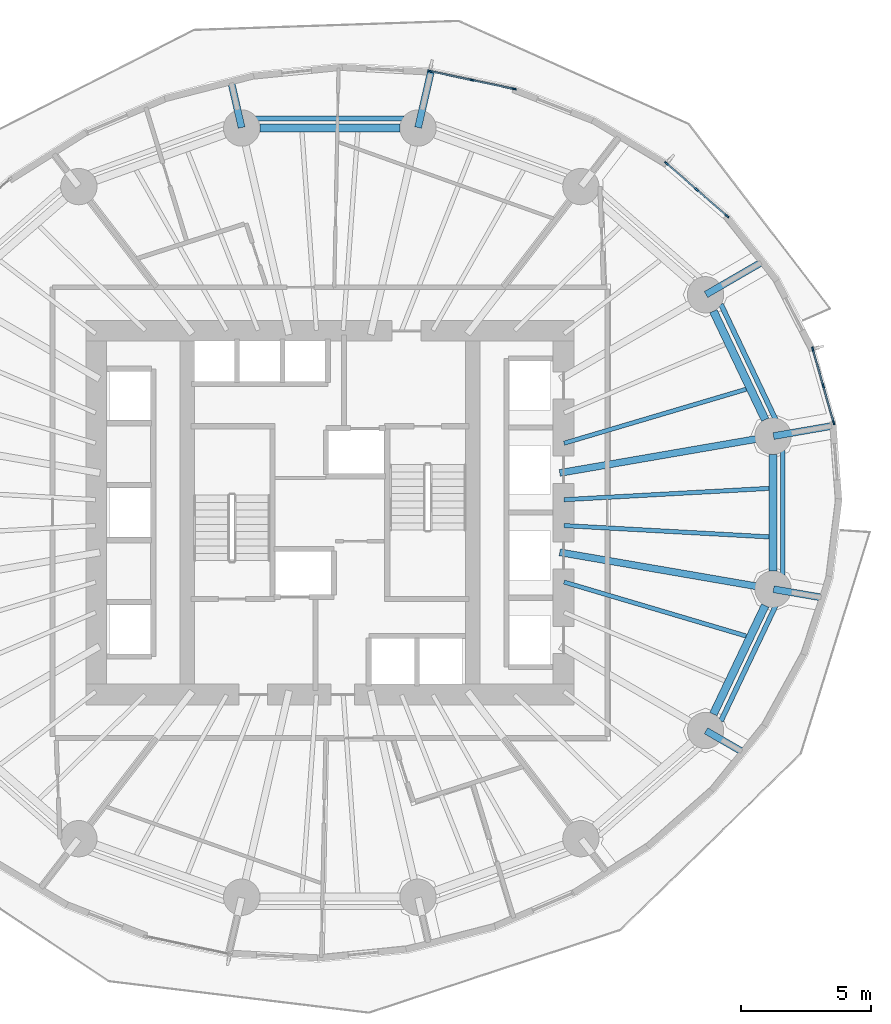
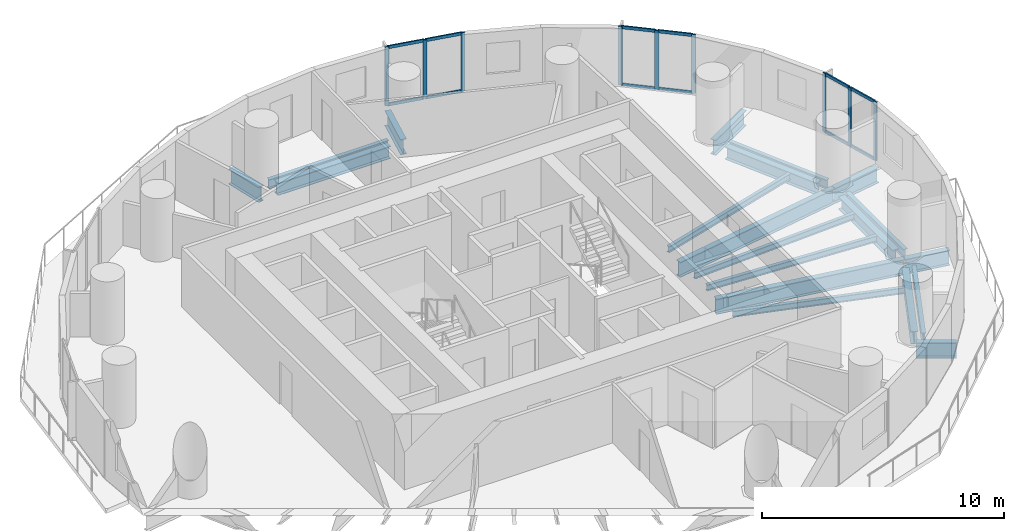
# One storey, part 5 of 13: 21 members, 20 beams, 3 elements without a shape of their own.
"""IFC4 building model written with IfcOpenShell, lengths in metres."""

from ifc_helpers import new_model, si_unit, direction, frame, origin, origin_2d, place, context, subcontext, project, spatial, rectangle, i_section, extrude, material, material_profile, profile_set, type_object, element, aggregate, save


model = new_model("IFC4")

# Units and contexts
model_context = context("Model", 3, precision=1e-05, world=origin(), true_north=direction((0.0, 1.0)))
body_context = subcontext(model_context, "Body", "Model", "MODEL_VIEW")
ifc_project = project(units=[si_unit("LENGTHUNIT", "METRE"), si_unit("AREAUNIT", "SQUARE_METRE"), si_unit("VOLUMEUNIT", "CUBIC_METRE"), si_unit("PLANEANGLEUNIT", "RADIAN"), si_unit("MASSUNIT", "GRAM", prefix="KILO")], contexts=[model_context])

# Site, building, storey
site_placement = place(None, origin())
site = spatial("IfcSite", under=ifc_project, at=site_placement, CompositionType="ELEMENT")
building_placement = place(site_placement, origin())
building = spatial("IfcBuilding", under=site, at=building_placement, Name="Veldorim Arch Residences", CompositionType="ELEMENT")
storey_placement = place(building_placement, frame((0.0, 0.0, 47.199951171875)))
storey = spatial("IfcBuildingStorey", under=building, at=storey_placement, Name="L13", CompositionType="ELEMENT", Elevation=47.199951171875)

# Beams
ifc_material_1 = material(Name="Steel S355", Category="steel")
ifc_material_profile_1 = material_profile(ifc_material_1, i_section(OverallWidth=0.30712890625, OverallDepth=0.6201171875, WebThickness=0.01416015625, FlangeThickness=0.023681640625, at=origin_2d()), Name="UB610x305x179")
ifc_profile_set_1 = profile_set([ifc_material_profile_1], Name="Steel S355")
beam_type_1 = type_object("IfcBeamType", Name="Structural Steel Beam UB610x305x179", PredefinedType="BEAM", material=ifc_profile_set_1)
beam_1_placement = place(storey_placement, frame((48.76416015625, 27.57763671875, -0.550048828125), z_axis=(-0.430776422552, 0.902458682585, 0.0), x_axis=(-0.902458682585, -0.430776422552, 0.0)))
element("IfcBeam", 1, at=beam_1_placement, inside=storey, type_object=beam_type_1, Name="L13 perimeter ring tie beam 01", PredefinedType="BEAM", context=body_context, shape_type="SweptSolid", body=[
    extrude(i_section(OverallWidth=0.30712890625, OverallDepth=0.6201171875, WebThickness=0.01416015625, FlangeThickness=0.023681640625, at=origin_2d()), origin(), (0.0, 0.0, 1.0), 4.63134765625),
])
beam_2_placement = place(storey_placement, frame((34.694580078125, 38.809814453125, -0.550048828125), z_axis=(-1.0, 0.0, 0.0), x_axis=(0.0, -1.0, 0.0)))
element("IfcBeam", 2, at=beam_2_placement, inside=storey, type_object=beam_type_1, Name="L13 perimeter ring tie beam 04", PredefinedType="BEAM", context=body_context, shape_type="SweptSolid", body=[
    extrude(i_section(OverallWidth=0.30712890625, OverallDepth=0.6201171875, WebThickness=0.01416015625, FlangeThickness=0.023681640625, at=origin_2d()), origin(), (0.0, 0.0, 1.0), 5.38916015625),
])
beam_3_placement = place(storey_placement, frame((46.76904296875, 16.24267578125, -0.550048828125), z_axis=(0.430776422552, 0.902458682585, 0.0), x_axis=(-0.902458682585, 0.430776422552, 0.0)))
element("IfcBeam", 3, at=beam_3_placement, inside=storey, type_object=beam_type_1, Name="L13 perimeter ring tie beam 15", PredefinedType="BEAM", context=body_context, shape_type="SweptSolid", body=[
    extrude(i_section(OverallWidth=0.30712890625, OverallDepth=0.6201171875, WebThickness=0.01416015625, FlangeThickness=0.023681640625, at=origin_2d()), origin(), (0.0, 0.0, 1.0), 4.63134765625),
])
beam_4_placement = place(storey_placement, frame((49.065673828125, 21.754150390625, -0.550048828125), z_axis=(0.0, 1.0, 0.0), x_axis=(-1.0, 0.0, 0.0)))
element("IfcBeam", 4, at=beam_4_placement, inside=storey, type_object=beam_type_1, Name="L13 perimeter ring tie beam 16", PredefinedType="BEAM", context=body_context, shape_type="SweptSolid", body=[
    extrude(i_section(OverallWidth=0.30712890625, OverallDepth=0.6201171875, WebThickness=0.01416015625, FlangeThickness=0.023681640625, at=origin_2d()), origin(), (0.0, 0.0, 1.0), 4.49169921875),
])
ifc_material_2 = material(Name="Steel S355", Category="steel")
ifc_material_profile_2 = material_profile(ifc_material_2, i_section(OverallWidth=0.26806640625, OverallDepth=0.769775390625, WebThickness=0.015625, FlangeThickness=0.025390625, at=origin_2d()), Name="UB762x267x197")
ifc_profile_set_2 = profile_set([ifc_material_profile_2], Name="Steel S355")
beam_type_2 = type_object("IfcBeamType", Name="Structural Steel GIRDER UB762x267x197", PredefinedType="USERDEFINED", material=ifc_profile_set_2)
beam_5_placement = place(storey_placement, frame((40.852294921875, 25.528076171875, -0.624755859375), z_axis=(0.985427548249, 0.170095699979, 0.0), x_axis=(-0.170095699979, 0.985427548249, 0.0)))
element("IfcBeam", 5, at=beam_5_placement, inside=storey, type_object=beam_type_2, Name="L13 radial floor girder 01", ObjectType="GIRDER", PredefinedType="USERDEFINED", context=body_context, shape_type="SweptSolid", body=[
    extrude(i_section(OverallWidth=0.26806640625, OverallDepth=0.769775390625, WebThickness=0.015625, FlangeThickness=0.025390625, at=origin_2d()), origin(), (0.0, 0.0, 1.0), 8.314697265625),
])
beam_6_placement = place(storey_placement, frame((49.08544921875, 26.94921875, -0.624755859375), z_axis=(0.98542353719, 0.170118935902, 0.0), x_axis=(-0.170118935902, 0.98542353719, 0.0)))
element("IfcBeam", 6, at=beam_6_placement, inside=storey, type_object=beam_type_2, Name="L13 radial edge cantilever girder 01", ObjectType="GIRDER", PredefinedType="USERDEFINED", context=body_context, shape_type="SweptSolid", body=[
    extrude(i_section(OverallWidth=0.26806640625, OverallDepth=0.769775390625, WebThickness=0.015625, FlangeThickness=0.025390625, at=origin_2d()), origin(), (0.0, 0.0, 1.0), 2.35205078125),
])
beam_7_placement = place(storey_placement, frame((46.48486328125, 32.399169921875, -0.624755859375), z_axis=(0.86507809522, 0.501637208718, 0.0), x_axis=(-0.501637208718, 0.86507809522, 0.0)))
element("IfcBeam", 7, at=beam_7_placement, inside=storey, type_object=beam_type_2, Name="L13 radial edge cantilever girder 02", ObjectType="GIRDER", PredefinedType="USERDEFINED", context=body_context, shape_type="SweptSolid", body=[
    extrude(i_section(OverallWidth=0.26806640625, OverallDepth=0.769775390625, WebThickness=0.015625, FlangeThickness=0.025390625, at=origin_2d()), origin(), (0.0, 0.0, 1.0), 2.52978515625),
])
beam_8_placement = place(storey_placement, frame((35.399169921875, 38.829345703125, -0.624755859375), z_axis=(0.223367414268, 0.974734321876, 0.0), x_axis=(-0.974734321876, 0.223367414268, 0.0)))
element("IfcBeam", 8, at=beam_8_placement, inside=storey, type_object=beam_type_2, Name="L13 radial edge cantilever girder 04", ObjectType="GIRDER", PredefinedType="USERDEFINED", context=body_context, shape_type="SweptSolid", body=[
    extrude(i_section(OverallWidth=0.26806640625, OverallDepth=0.769775390625, WebThickness=0.015625, FlangeThickness=0.025390625, at=origin_2d()), origin(), (0.0, 0.0, 1.0), 2.211181640625),
])
beam_9_placement = place(storey_placement, frame((28.600830078125, 38.829345703125, -0.624755859375), z_axis=(-0.223378778819, 0.974731717537, 0.0), x_axis=(-0.974731717537, -0.223378778819, 0.0)))
element("IfcBeam", 9, at=beam_9_placement, inside=storey, type_object=beam_type_2, Name="L13 radial edge cantilever girder 05", ObjectType="GIRDER", PredefinedType="USERDEFINED", context=body_context, shape_type="SweptSolid", body=[
    extrude(i_section(OverallWidth=0.26806640625, OverallDepth=0.769775390625, WebThickness=0.015625, FlangeThickness=0.025390625, at=origin_2d()), origin(), (0.0, 0.0, 1.0), 1.8427734375),
])
beam_10_placement = place(storey_placement, frame((46.48486328125, 15.600830078125, -0.624755859375), z_axis=(0.865102284846, -0.501595491163, 0.0), x_axis=(0.501595491163, 0.865102284846, 0.0)))
element("IfcBeam", 10, at=beam_10_placement, inside=storey, type_object=beam_type_2, Name="L13 radial edge cantilever girder 15", ObjectType="GIRDER", PredefinedType="USERDEFINED", context=body_context, shape_type="SweptSolid", body=[
    extrude(i_section(OverallWidth=0.26806640625, OverallDepth=0.769775390625, WebThickness=0.015625, FlangeThickness=0.025390625, at=origin_2d()), origin(), (0.0, 0.0, 1.0), 1.6689453125),
])
beam_11_placement = place(storey_placement, frame((40.852294921875, 22.471923828125, -0.624755859375), z_axis=(0.985427548249, -0.170095699979, 0.0), x_axis=(0.170095699979, 0.985427548249, 0.0)))
element("IfcBeam", 11, at=beam_11_placement, inside=storey, type_object=beam_type_2, Name="L13 radial floor girder 16", ObjectType="GIRDER", PredefinedType="USERDEFINED", context=body_context, shape_type="SweptSolid", body=[
    extrude(i_section(OverallWidth=0.26806640625, OverallDepth=0.769775390625, WebThickness=0.015625, FlangeThickness=0.025390625, at=origin_2d()), origin(), (0.0, 0.0, 1.0), 8.314697265625),
])
beam_12_placement = place(storey_placement, frame((49.08544921875, 21.05078125, -0.624755859375), z_axis=(0.985423095697, -0.170121493252, 0.0), x_axis=(0.170121493252, 0.985423095697, 0.0)))
element("IfcBeam", 12, at=beam_12_placement, inside=storey, type_object=beam_type_2, Name="L13 radial edge cantilever girder 16", ObjectType="GIRDER", PredefinedType="USERDEFINED", context=body_context, shape_type="SweptSolid", body=[
    extrude(i_section(OverallWidth=0.26806640625, OverallDepth=0.769775390625, WebThickness=0.015625, FlangeThickness=0.025390625, at=origin_2d()), origin(), (0.0, 0.0, 1.0), 1.943115234375),
])
ifc_material_3 = material(Name="Steel S355", Category="steel")
ifc_material_profile_3 = material_profile(ifc_material_3, i_section(OverallWidth=0.165771484375, OverallDepth=0.306640625, WebThickness=0.006591796875, FlangeThickness=0.01171875, at=origin_2d()), Name="UB305x165x46")
ifc_profile_set_3 = profile_set([ifc_material_profile_3], Name="Steel S355")
beam_type_3 = type_object("IfcBeamType", Name="Structural Steel Joist UB305x165x46", PredefinedType="JOIST", material=ifc_profile_set_3)
for number, where, z_axis, x_axis, name in (
    (13, (41.019287109375, 26.67333984375, -0.393310546875), (0.958766778771, 0.284194060325, 0.0), (-0.284194060325, 0.958766778771, 0.0), "L13 secondary radial floor joist 01-1"),
    (14, (41.019287109375, 21.32666015625, -0.393310546875), (0.958766778771, -0.284194060325, 0.0), (0.284194060325, 0.958766778771, 0.0), "L13 secondary radial floor joist 15-2"),
):
    element("IfcBeam", number, at=place(storey_placement, frame(where, z_axis=z_axis, x_axis=x_axis)), inside=storey, type_object=beam_type_3, Name=name, PredefinedType="JOIST", context=body_context, shape_type="SweptSolid", body=[
        extrude(i_section(OverallWidth=0.165771484375, OverallDepth=0.306640625, WebThickness=0.006591796875, FlangeThickness=0.01171875, at=origin_2d()), origin(), (0.0, 0.0, 1.0), 7.3115234375),
    ])
for number, where, z_axis, x_axis, name in (
    (15, (41.02001953125, 23.501708984375, -0.393310546875), (0.998478371109, -0.055144740699, 0.0), (0.055144740699, 0.998478371109, 0.0), "L13 secondary radial floor joist 16-1"),
    (16, (41.02001953125, 24.498291015625, -0.393310546875), (0.998478371109, 0.055144740699, 0.0), (-0.055144740699, 0.998478371109, 0.0), "L13 secondary radial floor joist 16-2"),
):
    element("IfcBeam", number, at=place(storey_placement, frame(where, z_axis=z_axis, x_axis=x_axis)), inside=storey, type_object=beam_type_3, Name=name, PredefinedType="JOIST", context=body_context, shape_type="SweptSolid", body=[
        extrude(i_section(OverallWidth=0.165771484375, OverallDepth=0.306640625, WebThickness=0.006591796875, FlangeThickness=0.01171875, at=origin_2d()), origin(), (0.0, 0.0, 1.0), 7.898193359375),
    ])
ifc_material_4 = material(Name="Steel S355", Category="steel")
ifc_material_profile_4 = material_profile(ifc_material_4, i_section(OverallWidth=0.19140625, OverallDepth=0.4599609375, WebThickness=0.010009765625, FlangeThickness=0.01611328125, at=origin_2d()), Name="UB457x191x82")
ifc_profile_set_4 = profile_set([ifc_material_profile_4], Name="Steel S355")
beam_type_4 = type_object("IfcBeamType", Name="Structural Steel Spandrel UB457x191x82", PredefinedType="SPANDREL", material=ifc_profile_set_4)
beam_13_placement = place(storey_placement, frame((49.176025390625, 27.56689453125, -0.489990234375), z_axis=(-0.428847831425, 0.903376741721, 0.0), x_axis=(-0.903376741721, -0.428847831425, 0.0)))
element("IfcBeam", 17, at=beam_13_placement, inside=storey, type_object=beam_type_4, Name="L13 perimeter chord spandrel beam 01", PredefinedType="SPANDREL", context=body_context, shape_type="SweptSolid", body=[
    extrude(i_section(OverallWidth=0.19140625, OverallDepth=0.4599609375, WebThickness=0.010009765625, FlangeThickness=0.01611328125, at=origin_2d()), origin(), (0.0, 0.0, 1.0), 4.932861328125),
])
beam_14_placement = place(storey_placement, frame((34.863525390625, 39.180419921875, -0.489990234375), z_axis=(-1.0, 0.0, 0.0), x_axis=(0.0, -1.0, 0.0)))
element("IfcBeam", 18, at=beam_14_placement, inside=storey, type_object=beam_type_4, Name="L13 perimeter chord spandrel beam 04", PredefinedType="SPANDREL", context=body_context, shape_type="SweptSolid", body=[
    extrude(i_section(OverallWidth=0.19140625, OverallDepth=0.4599609375, WebThickness=0.010009765625, FlangeThickness=0.01611328125, at=origin_2d()), origin(), (0.0, 0.0, 1.0), 5.72705078125),
])
beam_15_placement = place(storey_placement, frame((47.060546875, 15.976806640625, -0.489990234375), z_axis=(0.428847831425, 0.903376741721, 0.0), x_axis=(-0.903376741721, 0.428847831425, 0.0)))
element("IfcBeam", 19, at=beam_15_placement, inside=storey, type_object=beam_type_4, Name="L13 perimeter chord spandrel beam 15", PredefinedType="SPANDREL", context=body_context, shape_type="SweptSolid", body=[
    extrude(i_section(OverallWidth=0.19140625, OverallDepth=0.4599609375, WebThickness=0.010009765625, FlangeThickness=0.01611328125, at=origin_2d()), origin(), (0.0, 0.0, 1.0), 4.932861328125),
])
beam_16_placement = place(storey_placement, frame((49.440185546875, 21.60546875, -0.489990234375), z_axis=(0.0, 1.0, 0.0), x_axis=(-1.0, 0.0, 0.0)))
element("IfcBeam", 20, at=beam_16_placement, inside=storey, type_object=beam_type_4, Name="L13 perimeter chord spandrel beam 16", PredefinedType="SPANDREL", context=body_context, shape_type="SweptSolid", body=[
    extrude(i_section(OverallWidth=0.19140625, OverallDepth=0.4599609375, WebThickness=0.010009765625, FlangeThickness=0.01611328125, at=origin_2d()), origin(), (0.0, 0.0, 1.0), 4.7890625),
])

# Curtain wall, members
ifc_material_5 = material(Name="Aluminium", Category="aluminium")
curtain_wall_type = type_object("IfcCurtainWallType", Name="Zone 1 Acoustic Low-E Unitised Curtain Wall", PredefinedType="NOTDEFINED", material=ifc_material_5)
curtain_wall_1_placement = place(storey_placement, origin())
curtain_wall_1 = element("IfcCurtainWall", 21, at=curtain_wall_1_placement, inside=storey, type_object=curtain_wall_type, Name="L13 unitised curtain wall bay 01", PredefinedType="NOTDEFINED")
ifc_material_6 = material(Name="Aluminium", Category="aluminium")
ifc_material_profile_5 = material_profile(ifc_material_6, rectangle(XDim=0.06494140625, YDim=0.175048828125, at=origin_2d()), Name="ALU_MUL_65x175")
ifc_profile_set_5 = profile_set([ifc_material_profile_5], Name="Aluminium")
member_type_1 = type_object("IfcMemberType", Name="Zone 1 Acoustic Low-E Unitised Curtain Wall Mullion 65x175", PredefinedType="MULLION", material=ifc_profile_set_5)
member_1_placement = place(storey_placement, frame((50.59765625, 30.297607421875, 0.0), z_axis=(0.0, 0.0, 1.0), x_axis=(0.962071370887, 0.27279786898, 0.0)))
member_1 = element("IfcMember", 22, at=member_1_placement, type_object=member_type_1, Name="CW-Z1 mullion 1", PredefinedType="MULLION", context=body_context, shape_type="SweptSolid", body=[
    extrude(rectangle(XDim=0.06494140625, YDim=0.175048828125, at=origin_2d()), origin(), (0.0, 0.0, 1.0), 2.9599609375),
])
member_2_placement = place(storey_placement, frame((50.998291015625, 28.885009765625, 0.0), z_axis=(0.0, 0.0, 1.0), x_axis=(0.962071370887, 0.27279786898, 0.0)))
member_2 = element("IfcMember", 23, at=member_2_placement, type_object=member_type_1, Name="CW-Z1 mullion 2", PredefinedType="MULLION", context=body_context, shape_type="SweptSolid", body=[
    extrude(rectangle(XDim=0.06494140625, YDim=0.175048828125, at=origin_2d()), origin(), (0.0, 0.0, 1.0), 2.9599609375),
])
member_3_placement = place(storey_placement, frame((51.39892578125, 27.47216796875, 0.0), z_axis=(0.0, 0.0, 1.0), x_axis=(0.962071370887, 0.27279786898, 0.0)))
member_3 = element("IfcMember", 24, at=member_3_placement, type_object=member_type_1, Name="CW-Z1 mullion 3", PredefinedType="MULLION", context=body_context, shape_type="SweptSolid", body=[
    extrude(rectangle(XDim=0.06494140625, YDim=0.175048828125, at=origin_2d()), origin(), (0.0, 0.0, 1.0), 2.9599609375),
])

curtain_wall_2_placement = place(storey_placement, origin())
curtain_wall_2 = element("IfcCurtainWall", 25, at=curtain_wall_2_placement, inside=storey, type_object=curtain_wall_type, Name="L13 unitised curtain wall bay 04", PredefinedType="NOTDEFINED")
member_4_placement = place(storey_placement, frame((44.9638671875, 37.45068359375, 0.0), z_axis=(0.0, 0.0, 1.0), x_axis=(0.656718522267, 0.754135785195, 0.0)))
member_4 = element("IfcMember", 26, at=member_4_placement, type_object=member_type_1, Name="CW-Z1 mullion 1", PredefinedType="MULLION", context=body_context, shape_type="SweptSolid", body=[
    extrude(rectangle(XDim=0.06494140625, YDim=0.175048828125, at=origin_2d()), origin(), (0.0, 0.0, 1.0), 2.9599609375),
])
member_5_placement = place(storey_placement, frame((46.12890625, 36.436279296875, 0.0), z_axis=(0.0, 0.0, 1.0), x_axis=(0.656718522267, 0.754135785195, 0.0)))
member_5 = element("IfcMember", 27, at=member_5_placement, type_object=member_type_1, Name="CW-Z1 mullion 2", PredefinedType="MULLION", context=body_context, shape_type="SweptSolid", body=[
    extrude(rectangle(XDim=0.06494140625, YDim=0.175048828125, at=origin_2d()), origin(), (0.0, 0.0, 1.0), 2.9599609375),
])
member_6_placement = place(storey_placement, frame((47.293701171875, 35.421875, 0.0), z_axis=(0.0, 0.0, 1.0), x_axis=(0.656718522267, 0.754135785195, 0.0)))
member_6 = element("IfcMember", 28, at=member_6_placement, type_object=member_type_1, Name="CW-Z1 mullion 3", PredefinedType="MULLION", context=body_context, shape_type="SweptSolid", body=[
    extrude(rectangle(XDim=0.06494140625, YDim=0.175048828125, at=origin_2d()), origin(), (0.0, 0.0, 1.0), 2.9599609375),
])

curtain_wall_3_placement = place(storey_placement, origin())
curtain_wall_3 = element("IfcCurtainWall", 29, at=curtain_wall_3_placement, inside=storey, type_object=curtain_wall_type, Name="L13 unitised curtain wall bay 07", PredefinedType="NOTDEFINED")
member_7_placement = place(storey_placement, frame((35.851806640625, 41.003662109375, 0.0), z_axis=(0.0, 0.0, 1.0), x_axis=(0.207442343439, 0.978247245919, 0.0)))
member_7 = element("IfcMember", 30, at=member_7_placement, type_object=member_type_1, Name="CW-Z1 mullion 1", PredefinedType="MULLION", context=body_context, shape_type="SweptSolid", body=[
    extrude(rectangle(XDim=0.06494140625, YDim=0.175048828125, at=origin_2d()), origin(), (0.0, 0.0, 1.0), 2.9599609375),
])
member_8_placement = place(storey_placement, frame((37.470703125, 40.660400390625, 0.0), z_axis=(0.0, 0.0, 1.0), x_axis=(0.207442343439, 0.978247245919, 0.0)))
member_8 = element("IfcMember", 31, at=member_8_placement, type_object=member_type_1, Name="CW-Z1 mullion 2", PredefinedType="MULLION", context=body_context, shape_type="SweptSolid", body=[
    extrude(rectangle(XDim=0.06494140625, YDim=0.175048828125, at=origin_2d()), origin(), (0.0, 0.0, 1.0), 2.9599609375),
])
member_9_placement = place(storey_placement, frame((39.089599609375, 40.317138671875, 0.0), z_axis=(0.0, 0.0, 1.0), x_axis=(0.207442343439, 0.978247245919, 0.0)))
member_9 = element("IfcMember", 32, at=member_9_placement, type_object=member_type_1, Name="CW-Z1 mullion 3", PredefinedType="MULLION", context=body_context, shape_type="SweptSolid", body=[
    extrude(rectangle(XDim=0.06494140625, YDim=0.175048828125, at=origin_2d()), origin(), (0.0, 0.0, 1.0), 2.9599609375),
])

# Member
ifc_material_7 = material(Name="Aluminium", Category="aluminium")
ifc_material_profile_6 = material_profile(ifc_material_7, rectangle(XDim=0.06494140625, YDim=0.14990234375, at=origin_2d()), Name="ALU_TRN_65x150")
ifc_profile_set_6 = profile_set([ifc_material_profile_6], Name="Aluminium")
member_type_2 = type_object("IfcMemberType", Name="Zone 1 Acoustic Low-E Unitised Curtain Wall Transom 65x150", PredefinedType="USERDEFINED", material=ifc_profile_set_6)
member_10_placement = place(storey_placement, frame((50.606689453125, 30.266357421875, 0.032470703125), z_axis=(0.272790453274, -0.962073473599, 0.0), x_axis=(0.962073473599, 0.272790453274, 0.0)))
member_10 = element("IfcMember", 33, at=member_10_placement, type_object=member_type_2, Name="CW-Z1 transom 1.1", ObjectType="TRANSOM", PredefinedType="USERDEFINED", context=body_context, shape_type="SweptSolid", body=[
    extrude(rectangle(XDim=0.06494140625, YDim=0.14990234375, at=origin_2d()), origin(), (0.0, 0.0, 1.0), 1.4033203125),
])

member_11_placement = place(storey_placement, frame((50.606689453125, 30.266357421875, 2.927490234375), z_axis=(0.272790453274, -0.962073473599, 0.0), x_axis=(0.962073473599, 0.272790453274, 0.0)))
member_11 = element("IfcMember", 34, at=member_11_placement, type_object=member_type_2, Name="CW-Z1 transom 1.2", ObjectType="TRANSOM", PredefinedType="USERDEFINED", context=body_context, shape_type="SweptSolid", body=[
    extrude(rectangle(XDim=0.06494140625, YDim=0.14990234375, at=origin_2d()), origin(), (0.0, 0.0, 1.0), 1.4033203125),
])

member_12_placement = place(storey_placement, frame((51.00732421875, 28.853515625, 0.032470703125), z_axis=(0.272790453274, -0.962073473599, 0.0), x_axis=(0.962073473599, 0.272790453274, 0.0)))
member_12 = element("IfcMember", 35, at=member_12_placement, type_object=member_type_2, Name="CW-Z1 transom 2.1", ObjectType="TRANSOM", PredefinedType="USERDEFINED", context=body_context, shape_type="SweptSolid", body=[
    extrude(rectangle(XDim=0.06494140625, YDim=0.14990234375, at=origin_2d()), origin(), (0.0, 0.0, 1.0), 1.4033203125),
])

member_13_placement = place(storey_placement, frame((51.00732421875, 28.853515625, 2.927490234375), z_axis=(0.272790453274, -0.962073473599, 0.0), x_axis=(0.962073473599, 0.272790453274, 0.0)))
member_13 = element("IfcMember", 36, at=member_13_placement, type_object=member_type_2, Name="CW-Z1 transom 2.2", ObjectType="TRANSOM", PredefinedType="USERDEFINED", context=body_context, shape_type="SweptSolid", body=[
    extrude(rectangle(XDim=0.06494140625, YDim=0.14990234375, at=origin_2d()), origin(), (0.0, 0.0, 1.0), 1.4033203125),
])

aggregate(curtain_wall_1, [member_1, member_2, member_3, member_10, member_11, member_12, member_13])

member_14_placement = place(storey_placement, frame((44.988525390625, 37.429443359375, 0.032470703125), z_axis=(0.754107958252, -0.656750475677, 0.0), x_axis=(0.656750475677, 0.754107958252, 0.0)))
member_14 = element("IfcMember", 37, at=member_14_placement, type_object=member_type_2, Name="CW-Z1 transom 1.1", ObjectType="TRANSOM", PredefinedType="USERDEFINED", context=body_context, shape_type="SweptSolid", body=[
    extrude(rectangle(XDim=0.06494140625, YDim=0.14990234375, at=origin_2d()), origin(), (0.0, 0.0, 1.0), 1.4794921875),
])

member_15_placement = place(storey_placement, frame((44.988525390625, 37.429443359375, 2.927490234375), z_axis=(0.754107958252, -0.656750475677, 0.0), x_axis=(0.656750475677, 0.754107958252, 0.0)))
member_15 = element("IfcMember", 38, at=member_15_placement, type_object=member_type_2, Name="CW-Z1 transom 1.2", ObjectType="TRANSOM", PredefinedType="USERDEFINED", context=body_context, shape_type="SweptSolid", body=[
    extrude(rectangle(XDim=0.06494140625, YDim=0.14990234375, at=origin_2d()), origin(), (0.0, 0.0, 1.0), 1.4794921875),
])

member_16_placement = place(storey_placement, frame((46.1533203125, 36.4150390625, 0.032470703125), z_axis=(0.75409740977, -0.656762587682, 0.0), x_axis=(0.656762587682, 0.75409740977, 0.0)))
member_16 = element("IfcMember", 39, at=member_16_placement, type_object=member_type_2, Name="CW-Z1 transom 2.1", ObjectType="TRANSOM", PredefinedType="USERDEFINED", context=body_context, shape_type="SweptSolid", body=[
    extrude(rectangle(XDim=0.06494140625, YDim=0.14990234375, at=origin_2d()), origin(), (0.0, 0.0, 1.0), 1.47998046875),
])

member_17_placement = place(storey_placement, frame((46.1533203125, 36.4150390625, 2.927490234375), z_axis=(0.75409740977, -0.656762587682, 0.0), x_axis=(0.656762587682, 0.75409740977, 0.0)))
member_17 = element("IfcMember", 40, at=member_17_placement, type_object=member_type_2, Name="CW-Z1 transom 2.2", ObjectType="TRANSOM", PredefinedType="USERDEFINED", context=body_context, shape_type="SweptSolid", body=[
    extrude(rectangle(XDim=0.06494140625, YDim=0.14990234375, at=origin_2d()), origin(), (0.0, 0.0, 1.0), 1.47998046875),
])

aggregate(curtain_wall_2, [member_4, member_5, member_6, member_14, member_15, member_16, member_17])

member_18_placement = place(storey_placement, frame((35.883544921875, 40.9970703125, 0.032470703125), z_axis=(0.978247345961, -0.207441871667, 0.0), x_axis=(0.207441871667, 0.978247345961, 0.0)))
member_18 = element("IfcMember", 41, at=member_18_placement, type_object=member_type_2, Name="CW-Z1 transom 1.1", ObjectType="TRANSOM", PredefinedType="USERDEFINED", context=body_context, shape_type="SweptSolid", body=[
    extrude(rectangle(XDim=0.06494140625, YDim=0.14990234375, at=origin_2d()), origin(), (0.0, 0.0, 1.0), 1.590087890625),
])

member_19_placement = place(storey_placement, frame((35.883544921875, 40.9970703125, 2.927490234375), z_axis=(0.978247345961, -0.207441871667, 0.0), x_axis=(0.207441871667, 0.978247345961, 0.0)))
member_19 = element("IfcMember", 42, at=member_19_placement, type_object=member_type_2, Name="CW-Z1 transom 1.2", ObjectType="TRANSOM", PredefinedType="USERDEFINED", context=body_context, shape_type="SweptSolid", body=[
    extrude(rectangle(XDim=0.06494140625, YDim=0.14990234375, at=origin_2d()), origin(), (0.0, 0.0, 1.0), 1.590087890625),
])

member_20_placement = place(storey_placement, frame((37.50244140625, 40.65380859375, 0.032470703125), z_axis=(0.978247345961, -0.207441871667, 0.0), x_axis=(0.207441871667, 0.978247345961, 0.0)))
member_20 = element("IfcMember", 43, at=member_20_placement, type_object=member_type_2, Name="CW-Z1 transom 2.1", ObjectType="TRANSOM", PredefinedType="USERDEFINED", context=body_context, shape_type="SweptSolid", body=[
    extrude(rectangle(XDim=0.06494140625, YDim=0.14990234375, at=origin_2d()), origin(), (0.0, 0.0, 1.0), 1.590087890625),
])

member_21_placement = place(storey_placement, frame((37.50244140625, 40.65380859375, 2.927490234375), z_axis=(0.978247345961, -0.207441871667, 0.0), x_axis=(0.207441871667, 0.978247345961, 0.0)))
member_21 = element("IfcMember", 44, at=member_21_placement, type_object=member_type_2, Name="CW-Z1 transom 2.2", ObjectType="TRANSOM", PredefinedType="USERDEFINED", context=body_context, shape_type="SweptSolid", body=[
    extrude(rectangle(XDim=0.06494140625, YDim=0.14990234375, at=origin_2d()), origin(), (0.0, 0.0, 1.0), 1.590087890625),
])

aggregate(curtain_wall_3, [member_7, member_8, member_9, member_18, member_19, member_20, member_21])

save(model, "model.ifc")
